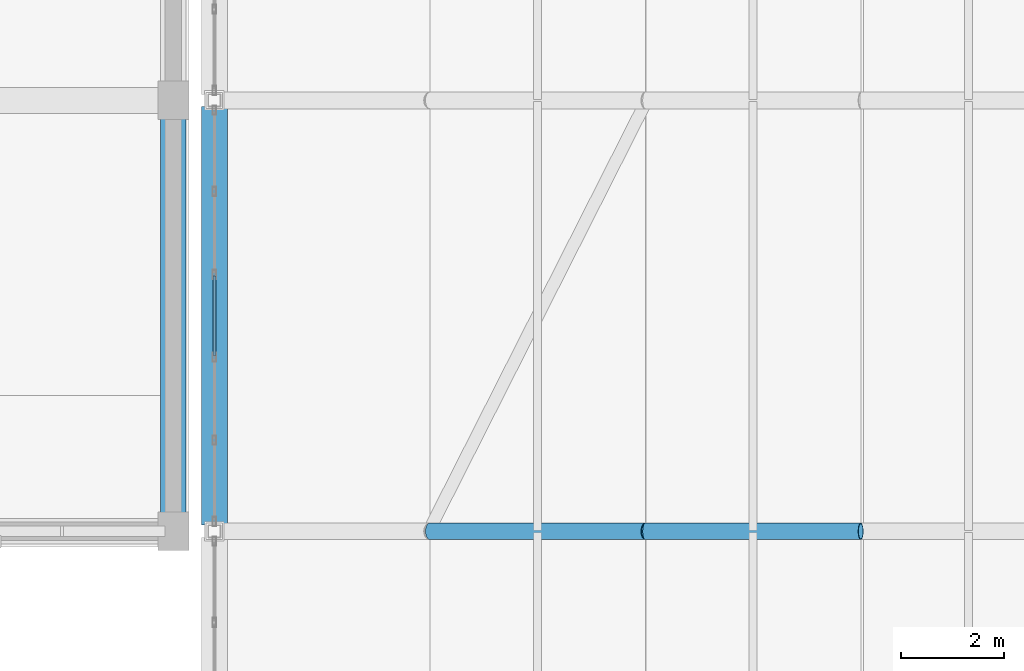
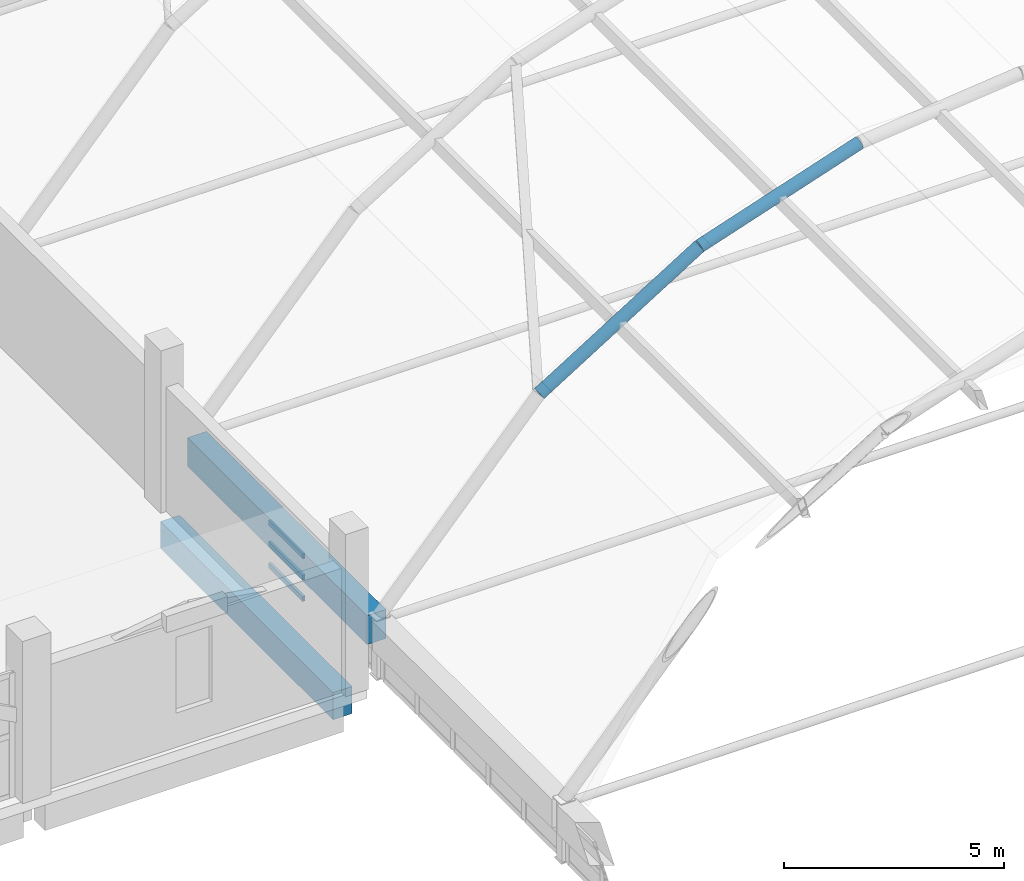
# One storey, part 60 of 114: 4 beams, 3 members, 1 element without a shape of its own.
"""IFC4 building model written with IfcOpenShell, lengths in metres."""

from ifc_helpers import new_model, si_unit, direction, frame, origin, origin_2d, place, context, subcontext, project, spatial, rectangle, hollow_rectangle, hollow_circle, extrude, material, layer, layer_set, material_profile, profile_set, type_object, element, aggregate, save


model = new_model("IFC4")

# Units and contexts
model_context = context("Model", 3, precision=1e-05, world=origin(), true_north=direction((0.0, 1.0)))
body_context = subcontext(model_context, "Body", "Model", "MODEL_VIEW")
ifc_project = project(units=[si_unit("LENGTHUNIT", "METRE"), si_unit("AREAUNIT", "SQUARE_METRE"), si_unit("VOLUMEUNIT", "CUBIC_METRE"), si_unit("PLANEANGLEUNIT", "RADIAN"), si_unit("MASSUNIT", "GRAM", prefix="KILO")], contexts=[model_context])

# Site, building, storey
site_placement = place(None, origin())
site = spatial("IfcSite", under=ifc_project, at=site_placement, CompositionType="ELEMENT")
building_placement = place(site_placement, origin())
building = spatial("IfcBuilding", under=site, at=building_placement, Name="Xazarin Passage Department Store", CompositionType="ELEMENT")
storey_placement = place(building_placement, frame((0.0, 0.0, 14.39990234375)))
storey = spatial("IfcBuildingStorey", under=building, at=storey_placement, Name="L03", CompositionType="ELEMENT", Elevation=14.39990234375)

# Curtain wall, members
ifc_material_1 = material(Name="Bronze anodised aluminium", Category="aluminium")
ifc_layer = layer(ifc_material_1, 0.159912109375)
ifc_layer_set = layer_set([ifc_layer], Name="Bronze anodised aluminium")
curtain_wall_type = type_object("IfcCurtainWallType", Name="ARC-CW-ARC1", PredefinedType="NOTDEFINED", material=ifc_layer_set)
curtain_wall_placement = place(storey_placement, origin())
curtain_wall = element("IfcCurtainWall", 1, at=curtain_wall_placement, inside=storey, type_object=curtain_wall_type, Name="L03 V2N Galleria Clerestory Curtain Wall 3W", PredefinedType="NOTDEFINED")
ifc_material_profile_1 = material_profile(ifc_material_1, hollow_rectangle(XDim=0.06494140625, YDim=0.139892578125, WallThickness=0.00390625, at=origin_2d()), Name="ALU 65x140")
ifc_profile_set_1 = profile_set([ifc_material_profile_1], Name="Bronze anodised aluminium")
member_type = type_object("IfcMemberType", Name="ARC-CWT-65x140", PredefinedType="USERDEFINED", material=ifc_profile_set_1)
member_1_placement = place(storey_placement, frame((68.0, 71.424560546875, 0.03271484375), z_axis=(0.0, 1.0, 0.0), x_axis=(-1.0, 0.0, 0.0)))
member_1 = element("IfcMember", 2, at=member_1_placement, type_object=member_type, Name="CW3 transom 3.1", ObjectType="TRANSOM", PredefinedType="USERDEFINED", context=body_context, shape_type="SweptSolid", body=[
    extrude(hollow_rectangle(XDim=0.06494140625, YDim=0.139892578125, WallThickness=0.00390625, at=origin_2d()), origin(), (0.0, 0.0, 1.0), 1.551025390625),
])
member_2_placement = place(storey_placement, frame((68.0, 71.424560546875, 0.6259765625), z_axis=(0.0, 1.0, 0.0), x_axis=(-1.0, 0.0, 0.0)))
member_2 = element("IfcMember", 3, at=member_2_placement, type_object=member_type, Name="CW3 transom 3.2", ObjectType="TRANSOM", PredefinedType="USERDEFINED", context=body_context, shape_type="SweptSolid", body=[
    extrude(hollow_rectangle(XDim=0.06494140625, YDim=0.139892578125, WallThickness=0.00390625, at=origin_2d()), origin(), (0.0, 0.0, 1.0), 1.551025390625),
])
member_3_placement = place(storey_placement, frame((68.0, 71.424560546875, 1.21923828125), z_axis=(0.0, 1.0, 0.0), x_axis=(-1.0, 0.0, 0.0)))
member_3 = element("IfcMember", 4, at=member_3_placement, type_object=member_type, Name="CW3 transom 3.3", ObjectType="TRANSOM", PredefinedType="USERDEFINED", context=body_context, shape_type="SweptSolid", body=[
    extrude(hollow_rectangle(XDim=0.06494140625, YDim=0.139892578125, WallThickness=0.00390625, at=origin_2d()), origin(), (0.0, 0.0, 1.0), 1.551025390625),
])
aggregate(curtain_wall, [member_1, member_2, member_3])

# Beams
ifc_material_2 = material(Name="Steel S355", Category="steel")
ifc_material_profile_2 = material_profile(ifc_material_2, hollow_circle(Radius=0.161865234375, WallThickness=0.01611328125, at=origin_2d()), Name="CHS 323.9x16")
ifc_profile_set_2 = profile_set([ifc_material_profile_2], Name="Steel S355")
beam_type_1 = type_object("IfcBeamType", Name="STR-BM-AR324", PredefinedType="BEAM", material=ifc_profile_set_2)
beam_1_placement = place(storey_placement, frame((72.199951171875, 68.0, 6.33203125), z_axis=(0.848571440894, 0.0, 0.529080815848), x_axis=(0.0, 1.0, 0.0)))
element("IfcBeam", 5, at=beam_1_placement, inside=storey, type_object=beam_type_1, Name="V2N Primary Arch Rib 3.2", PredefinedType="BEAM", context=body_context, shape_type="SweptSolid", body=[
    extrude(hollow_circle(Radius=0.161865234375, WallThickness=0.01611328125, at=origin_2d()), origin(), (0.0, 0.0, 1.0), 4.949462890625),
])
beam_2_placement = place(storey_placement, frame((76.39990234375, 68.0, 8.95068359375), z_axis=(0.948462545979, 0.0, 0.31688925333), x_axis=(0.0, 1.0, 0.0)))
element("IfcBeam", 6, at=beam_2_placement, inside=storey, type_object=beam_type_1, Name="V2N Primary Arch Rib 3.3", PredefinedType="BEAM", context=body_context, shape_type="SweptSolid", body=[
    extrude(hollow_circle(Radius=0.161865234375, WallThickness=0.01611328125, at=origin_2d()), origin(), (0.0, 0.0, 1.0), 4.428466796875),
])
ifc_material_3 = material(Name="Concrete C40/50", Category="concrete")
ifc_material_profile_3 = material_profile(ifc_material_3, rectangle(XDim=0.5, YDim=0.800048828125, at=origin_2d()), Name="RC 500x800")
ifc_profile_set_3 = profile_set([ifc_material_profile_3], Name="Concrete C40/50")
beam_type_2 = type_object("IfcBeamType", Name="STR-BM-RG500x800", PredefinedType="BEAM", material=ifc_profile_set_3)
beam_3_placement = place(storey_placement, frame((68.0, 68.1201171875, 1.251708984375), z_axis=(0.0, 1.0, 0.0), x_axis=(-1.0, 0.0, 0.0)))
element("IfcBeam", 7, at=beam_3_placement, inside=storey, type_object=beam_type_2, Name="V2N Springing Ring Girder W-3", PredefinedType="BEAM", context=body_context, shape_type="SweptSolid", body=[
    extrude(rectangle(XDim=0.5, YDim=0.800048828125, at=origin_2d()), origin(), (0.0, 0.0, 1.0), 8.159912109375),
])
ifc_material_4 = material(Name="Concrete C35/45", Category="concrete")
ifc_material_profile_4 = material_profile(ifc_material_4, rectangle(XDim=0.5, YDim=0.75, at=origin_2d()), Name="RC 500x750")
ifc_profile_set_4 = profile_set([ifc_material_profile_4], Name="Concrete C35/45")
beam_type_3 = type_object("IfcBeamType", Name="STR-BM-SP500x750", PredefinedType="SPANDREL", material=ifc_profile_set_4)
beam_4_placement = place(storey_placement, frame((67.199951171875, 68.280029296875, -0.6748046875), z_axis=(0.0, 1.0, 0.0), x_axis=(-1.0, 0.0, 0.0)))
element("IfcBeam", 8, at=beam_4_placement, inside=storey, type_object=beam_type_3, Name="L03 Grid Beam 9/K-L", PredefinedType="SPANDREL", context=body_context, shape_type="SweptSolid", body=[
    extrude(rectangle(XDim=0.5, YDim=0.75, at=origin_2d()), origin(), (0.0, 0.0, 1.0), 7.840087890625),
])

save(model, "model.ifc")
